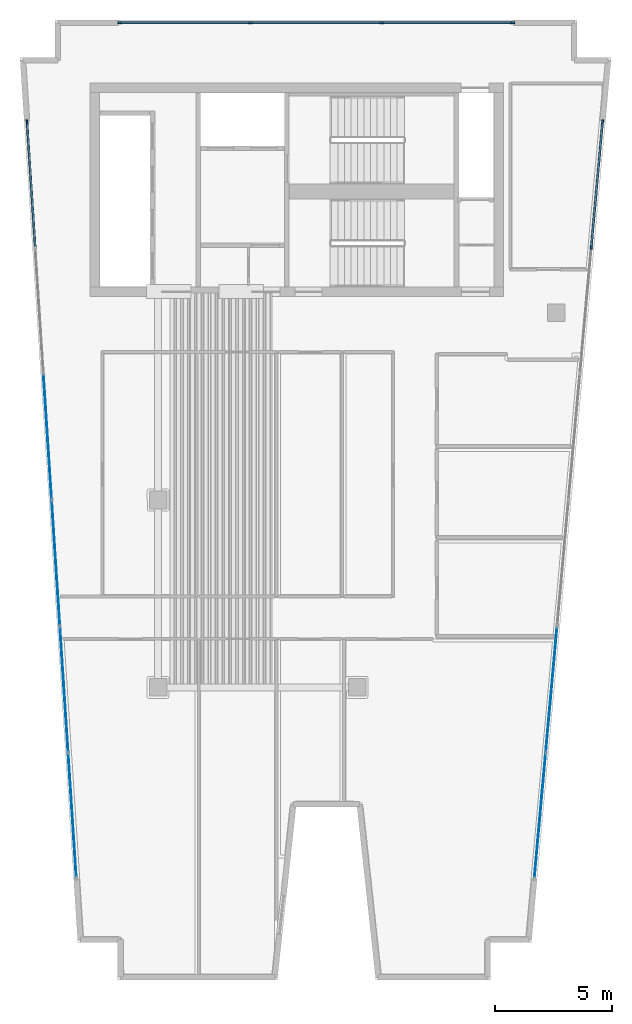
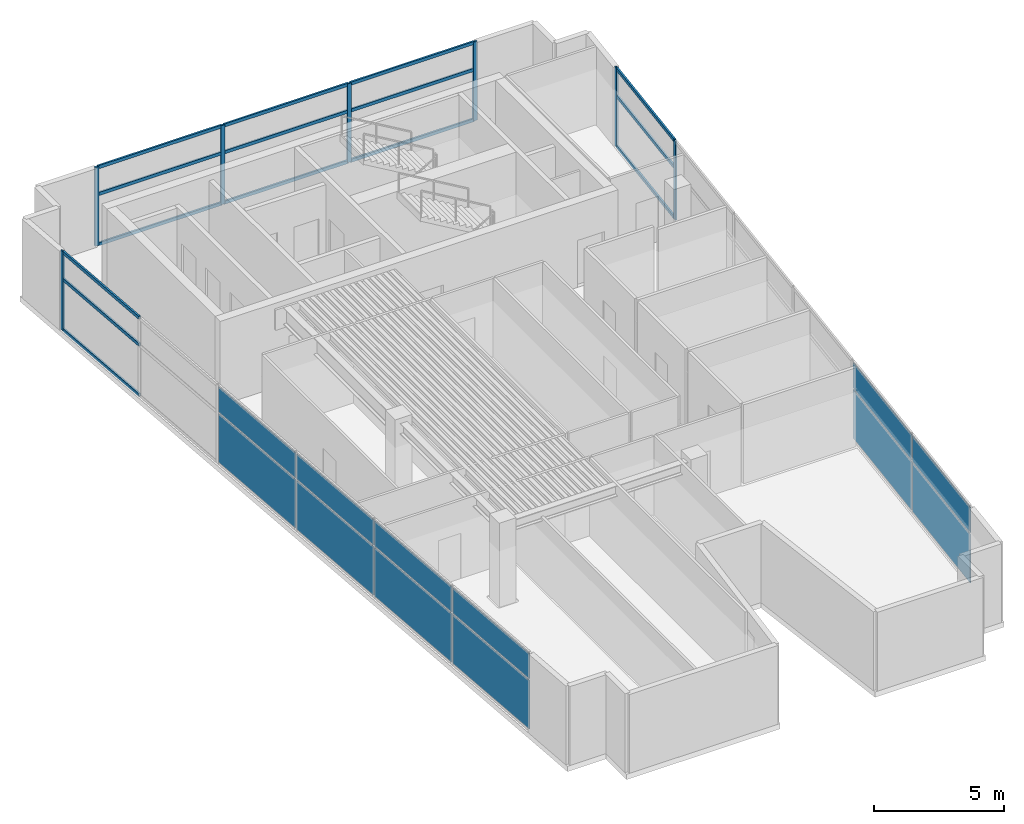
# One storey, part 2 of 7: 22 members, 12 plates, 3 elements without a shape of their own.
"""IFC4 building model written with IfcOpenShell, lengths in metres."""

from ifc_helpers import new_model, si_unit, direction, frame, origin, origin_2d, place, context, subcontext, project, spatial, rectangle, extrude, material, layer, layer_set, material_profile, profile_set, type_object, element, aggregate, save


model = new_model("IFC4")

# Units and contexts
model_context = context("Model", 3, precision=1e-05, world=origin(), true_north=direction((0.0, 1.0)))
body_context = subcontext(model_context, "Body", "Model", "MODEL_VIEW")
ifc_project = project(units=[si_unit("LENGTHUNIT", "METRE"), si_unit("AREAUNIT", "SQUARE_METRE"), si_unit("VOLUMEUNIT", "CUBIC_METRE"), si_unit("PLANEANGLEUNIT", "RADIAN"), si_unit("MASSUNIT", "GRAM", prefix="KILO")], contexts=[model_context])

# Site, building, storey
site_placement = place(None, origin())
site = spatial("IfcSite", under=ifc_project, at=site_placement, CompositionType="ELEMENT")
building_placement = place(site_placement, origin())
building = spatial("IfcBuilding", under=site, at=building_placement, Name="Caeloran Harvest Quay", CompositionType="ELEMENT")
storey_placement = place(building_placement, frame((0.0, 0.0, 304.10009765625)))
storey = spatial("IfcBuildingStorey", under=building, at=storey_placement, Name="L73", CompositionType="ELEMENT", Elevation=304.10009765625)

# Curtain wall, member
ifc_material_1 = material(Name="Aluminium 6063-T6 and Low-E Glazing", Category="aluminium")
ifc_layer_1 = layer(ifc_material_1, 0.239990234375, Name="Aluminium 6063-T6 and Low-E Glazing")
ifc_layer_set_1 = layer_set([ifc_layer_1], Name="Aluminium 6063-T6 and Low-E Glazing")
curtain_wall_type = type_object("IfcCurtainWallType", Name="CW-SYS-CW-7", PredefinedType="USERDEFINED", material=ifc_layer_set_1)
curtain_wall_1_placement = place(storey_placement, origin())
curtain_wall_1 = element("IfcCurtainWall", 1, at=curtain_wall_1_placement, inside=storey, type_object=curtain_wall_type, Name="L73 Unitised Curtain Wall CW-7 Run 3", ObjectType="CURTAIN_WALL", PredefinedType="USERDEFINED")
ifc_material_2 = material(Name="Aluminium 6063-T6", Category="aluminium")
ifc_material_profile_1 = material_profile(ifc_material_2, rectangle(XDim=0.080078125, YDim=0.179931640625, at=origin_2d()), Name="CW-MULLION-180")
ifc_profile_set_1 = profile_set([ifc_material_profile_1], Name="Aluminium 6063-T6")
member_type_1 = type_object("IfcMemberType", Name="CW-MULLION-180", PredefinedType="MULLION", material=ifc_profile_set_1)
member_1_placement = place(storey_placement, frame((2.904541015625, 39.1455078125, 0.0), z_axis=(0.0, 0.0, 1.0), x_axis=(-0.997874401106, -0.065166552901, 0.0)))
member_1 = element("IfcMember", 2, at=member_1_placement, type_object=member_type_1, Name="CW-7 mullion 7", PredefinedType="MULLION", context=body_context, shape_type="SweptSolid", body=[
    extrude(rectangle(XDim=0.080078125, YDim=0.179931640625, at=origin_2d()), origin(), (0.0, 0.0, 1.0), 3.699951171875),
])

# Curtain wall, members
curtain_wall_2_placement = place(storey_placement, origin())
curtain_wall_2 = element("IfcCurtainWall", 3, at=curtain_wall_2_placement, inside=storey, type_object=curtain_wall_type, Name="L73 Unitised Curtain Wall CW-7 Run 6", ObjectType="CURTAIN_WALL", PredefinedType="USERDEFINED")
member_2_placement = place(storey_placement, frame((6.860107421875, 43.3798828125, 0.0), z_axis=(0.0, 0.0, 1.0), x_axis=(0.0, 1.0, 0.0)))
member_2 = element("IfcMember", 4, at=member_2_placement, type_object=member_type_1, Name="CW-7 mullion 1", PredefinedType="MULLION", context=body_context, shape_type="SweptSolid", body=[
    extrude(rectangle(XDim=0.080078125, YDim=0.179931640625, at=origin_2d()), origin(), (0.0, 0.0, 1.0), 3.699951171875),
])
member_3_placement = place(storey_placement, frame((12.43994140625, 43.3798828125, 0.0), z_axis=(0.0, 0.0, 1.0), x_axis=(0.0, 1.0, 0.0)))
member_3 = element("IfcMember", 5, at=member_3_placement, type_object=member_type_1, Name="CW-7 mullion 2", PredefinedType="MULLION", context=body_context, shape_type="SweptSolid", body=[
    extrude(rectangle(XDim=0.080078125, YDim=0.179931640625, at=origin_2d()), origin(), (0.0, 0.0, 1.0), 3.699951171875),
])
member_4_placement = place(storey_placement, frame((18.06005859375, 43.3798828125, 0.0), z_axis=(0.0, 0.0, 1.0), x_axis=(0.0, 1.0, 0.0)))
member_4 = element("IfcMember", 6, at=member_4_placement, type_object=member_type_1, Name="CW-7 mullion 3", PredefinedType="MULLION", context=body_context, shape_type="SweptSolid", body=[
    extrude(rectangle(XDim=0.080078125, YDim=0.179931640625, at=origin_2d()), origin(), (0.0, 0.0, 1.0), 3.699951171875),
])
member_5_placement = place(storey_placement, frame((23.639892578125, 43.3798828125, 0.0), z_axis=(0.0, 0.0, 1.0), x_axis=(0.0, 1.0, 0.0)))
member_5 = element("IfcMember", 7, at=member_5_placement, type_object=member_type_1, Name="CW-7 mullion 4", PredefinedType="MULLION", context=body_context, shape_type="SweptSolid", body=[
    extrude(rectangle(XDim=0.080078125, YDim=0.179931640625, at=origin_2d()), origin(), (0.0, 0.0, 1.0), 3.699951171875),
])

curtain_wall_3_placement = place(storey_placement, origin())
curtain_wall_3 = element("IfcCurtainWall", 8, at=curtain_wall_3_placement, inside=storey, type_object=curtain_wall_type, Name="L73 Unitised Curtain Wall CW-7 Run 9", ObjectType="CURTAIN_WALL", PredefinedType="USERDEFINED")
member_6_placement = place(storey_placement, frame((27.4873046875, 39.150634765625, 0.0), z_axis=(0.0, 0.0, 1.0), x_axis=(0.995957918918, -0.089821065146, 0.0)))
member_6 = element("IfcMember", 9, at=member_6_placement, type_object=member_type_1, Name="CW-7 mullion 1", PredefinedType="MULLION", context=body_context, shape_type="SweptSolid", body=[
    extrude(rectangle(XDim=0.080078125, YDim=0.179931640625, at=origin_2d()), origin(), (0.0, 0.0, 1.0), 3.699951171875),
])
member_7_placement = place(storey_placement, frame((27.004150390625, 33.793701171875, 0.0), z_axis=(0.0, 0.0, 1.0), x_axis=(0.995957918918, -0.089821065146, 0.0)))
member_7 = element("IfcMember", 10, at=member_7_placement, type_object=member_type_1, Name="CW-7 mullion 2", PredefinedType="MULLION", context=body_context, shape_type="SweptSolid", body=[
    extrude(rectangle(XDim=0.080078125, YDim=0.179931640625, at=origin_2d()), origin(), (0.0, 0.0, 1.0), 3.699951171875),
])

# Member
ifc_material_profile_2 = material_profile(ifc_material_2, rectangle(XDim=0.080078125, YDim=0.14990234375, at=origin_2d()), Name="CW-TRANSOM-150")
ifc_profile_set_2 = profile_set([ifc_material_profile_2], Name="Aluminium 6063-T6")
member_type_2 = type_object("IfcMemberType", Name="CW-TRANSOM-150", PredefinedType="USERDEFINED", material=ifc_profile_set_2)
member_8_placement = place(storey_placement, frame((3.251708984375, 33.830322265625, 0.039794921875), z_axis=(-0.065161110765, 0.997874756492, 0.0), x_axis=(-0.997874756492, -0.065161110765, 0.0)))
member_8 = element("IfcMember", 11, at=member_8_placement, type_object=member_type_2, Name="CW-7 transom 6.1", ObjectType="TRANSOM", PredefinedType="USERDEFINED", context=body_context, shape_type="SweptSolid", body=[
    extrude(rectangle(XDim=0.080078125, YDim=0.14990234375, at=origin_2d()), origin(), (0.0, 0.0, 1.0), 5.28662109375),
])

member_9_placement = place(storey_placement, frame((3.251708984375, 33.830322265625, 2.39990234375), z_axis=(-0.065161110765, 0.997874756492, 0.0), x_axis=(-0.997874756492, -0.065161110765, 0.0)))
member_9 = element("IfcMember", 12, at=member_9_placement, type_object=member_type_2, Name="CW-7 transom 6.2", ObjectType="TRANSOM", PredefinedType="USERDEFINED", context=body_context, shape_type="SweptSolid", body=[
    extrude(rectangle(XDim=0.080078125, YDim=0.14990234375, at=origin_2d()), origin(), (0.0, 0.0, 1.0), 5.28662109375),
])

member_10_placement = place(storey_placement, frame((3.251708984375, 33.830322265625, 3.659912109375), z_axis=(-0.065161110765, 0.997874756492, 0.0), x_axis=(-0.997874756492, -0.065161110765, 0.0)))
member_10 = element("IfcMember", 13, at=member_10_placement, type_object=member_type_2, Name="CW-7 transom 6.3", ObjectType="TRANSOM", PredefinedType="USERDEFINED", context=body_context, shape_type="SweptSolid", body=[
    extrude(rectangle(XDim=0.080078125, YDim=0.14990234375, at=origin_2d()), origin(), (0.0, 0.0, 1.0), 5.28662109375),
])

member_11_placement = place(storey_placement, frame((6.89990234375, 43.3798828125, 0.039794921875), z_axis=(1.0, 0.0, 0.0), x_axis=(0.0, 1.0, 0.0)))
member_11 = element("IfcMember", 14, at=member_11_placement, type_object=member_type_2, Name="CW-7 transom 1.1", ObjectType="TRANSOM", PredefinedType="USERDEFINED", context=body_context, shape_type="SweptSolid", body=[
    extrude(rectangle(XDim=0.080078125, YDim=0.14990234375, at=origin_2d()), origin(), (0.0, 0.0, 1.0), 5.5),
])

member_12_placement = place(storey_placement, frame((6.89990234375, 43.3798828125, 2.39990234375), z_axis=(1.0, 0.0, 0.0), x_axis=(0.0, 1.0, 0.0)))
member_12 = element("IfcMember", 15, at=member_12_placement, type_object=member_type_2, Name="CW-7 transom 1.2", ObjectType="TRANSOM", PredefinedType="USERDEFINED", context=body_context, shape_type="SweptSolid", body=[
    extrude(rectangle(XDim=0.080078125, YDim=0.14990234375, at=origin_2d()), origin(), (0.0, 0.0, 1.0), 5.5),
])

member_13_placement = place(storey_placement, frame((6.89990234375, 43.3798828125, 3.659912109375), z_axis=(1.0, 0.0, 0.0), x_axis=(0.0, 1.0, 0.0)))
member_13 = element("IfcMember", 16, at=member_13_placement, type_object=member_type_2, Name="CW-7 transom 1.3", ObjectType="TRANSOM", PredefinedType="USERDEFINED", context=body_context, shape_type="SweptSolid", body=[
    extrude(rectangle(XDim=0.080078125, YDim=0.14990234375, at=origin_2d()), origin(), (0.0, 0.0, 1.0), 5.5),
])

member_14_placement = place(storey_placement, frame((12.47998046875, 43.3798828125, 0.039794921875), z_axis=(1.0, 0.0, 0.0), x_axis=(0.0, 1.0, 0.0)))
member_14 = element("IfcMember", 17, at=member_14_placement, type_object=member_type_2, Name="CW-7 transom 2.1", ObjectType="TRANSOM", PredefinedType="USERDEFINED", context=body_context, shape_type="SweptSolid", body=[
    extrude(rectangle(XDim=0.080078125, YDim=0.14990234375, at=origin_2d()), origin(), (0.0, 0.0, 1.0), 5.5400390625),
])

member_15_placement = place(storey_placement, frame((12.47998046875, 43.3798828125, 2.39990234375), z_axis=(1.0, 0.0, 0.0), x_axis=(0.0, 1.0, 0.0)))
member_15 = element("IfcMember", 18, at=member_15_placement, type_object=member_type_2, Name="CW-7 transom 2.2", ObjectType="TRANSOM", PredefinedType="USERDEFINED", context=body_context, shape_type="SweptSolid", body=[
    extrude(rectangle(XDim=0.080078125, YDim=0.14990234375, at=origin_2d()), origin(), (0.0, 0.0, 1.0), 5.5400390625),
])

member_16_placement = place(storey_placement, frame((12.47998046875, 43.3798828125, 3.659912109375), z_axis=(1.0, 0.0, 0.0), x_axis=(0.0, 1.0, 0.0)))
member_16 = element("IfcMember", 19, at=member_16_placement, type_object=member_type_2, Name="CW-7 transom 2.3", ObjectType="TRANSOM", PredefinedType="USERDEFINED", context=body_context, shape_type="SweptSolid", body=[
    extrude(rectangle(XDim=0.080078125, YDim=0.14990234375, at=origin_2d()), origin(), (0.0, 0.0, 1.0), 5.5400390625),
])

member_17_placement = place(storey_placement, frame((18.10009765625, 43.3798828125, 0.039794921875), z_axis=(1.0, 0.0, 0.0), x_axis=(0.0, 1.0, 0.0)))
member_17 = element("IfcMember", 20, at=member_17_placement, type_object=member_type_2, Name="CW-7 transom 3.1", ObjectType="TRANSOM", PredefinedType="USERDEFINED", context=body_context, shape_type="SweptSolid", body=[
    extrude(rectangle(XDim=0.080078125, YDim=0.14990234375, at=origin_2d()), origin(), (0.0, 0.0, 1.0), 5.5),
])

member_18_placement = place(storey_placement, frame((18.10009765625, 43.3798828125, 2.39990234375), z_axis=(1.0, 0.0, 0.0), x_axis=(0.0, 1.0, 0.0)))
member_18 = element("IfcMember", 21, at=member_18_placement, type_object=member_type_2, Name="CW-7 transom 3.2", ObjectType="TRANSOM", PredefinedType="USERDEFINED", context=body_context, shape_type="SweptSolid", body=[
    extrude(rectangle(XDim=0.080078125, YDim=0.14990234375, at=origin_2d()), origin(), (0.0, 0.0, 1.0), 5.5),
])

member_19_placement = place(storey_placement, frame((18.10009765625, 43.3798828125, 3.659912109375), z_axis=(1.0, 0.0, 0.0), x_axis=(0.0, 1.0, 0.0)))
member_19 = element("IfcMember", 22, at=member_19_placement, type_object=member_type_2, Name="CW-7 transom 3.3", ObjectType="TRANSOM", PredefinedType="USERDEFINED", context=body_context, shape_type="SweptSolid", body=[
    extrude(rectangle(XDim=0.080078125, YDim=0.14990234375, at=origin_2d()), origin(), (0.0, 0.0, 1.0), 5.5),
])

aggregate(curtain_wall_2, [member_2, member_3, member_4, member_5, member_11, member_12, member_13, member_14, member_15, member_16, member_17, member_18, member_19])

member_20_placement = place(storey_placement, frame((27.483642578125, 39.11083984375, 0.039794921875), z_axis=(-0.089800407778, -0.995959781699, 0.0), x_axis=(0.995959781699, -0.089800407778, 0.0)))
member_20 = element("IfcMember", 23, at=member_20_placement, type_object=member_type_2, Name="CW-7 transom 1.1", ObjectType="TRANSOM", PredefinedType="USERDEFINED", context=body_context, shape_type="SweptSolid", body=[
    extrude(rectangle(XDim=0.080078125, YDim=0.14990234375, at=origin_2d()), origin(), (0.0, 0.0, 1.0), 5.298828125),
])

member_21_placement = place(storey_placement, frame((27.483642578125, 39.11083984375, 2.39990234375), z_axis=(-0.089800407778, -0.995959781699, 0.0), x_axis=(0.995959781699, -0.089800407778, 0.0)))
member_21 = element("IfcMember", 24, at=member_21_placement, type_object=member_type_2, Name="CW-7 transom 1.2", ObjectType="TRANSOM", PredefinedType="USERDEFINED", context=body_context, shape_type="SweptSolid", body=[
    extrude(rectangle(XDim=0.080078125, YDim=0.14990234375, at=origin_2d()), origin(), (0.0, 0.0, 1.0), 5.298828125),
])

member_22_placement = place(storey_placement, frame((27.483642578125, 39.11083984375, 3.659912109375), z_axis=(-0.089800407778, -0.995959781699, 0.0), x_axis=(0.995959781699, -0.089800407778, 0.0)))
member_22 = element("IfcMember", 25, at=member_22_placement, type_object=member_type_2, Name="CW-7 transom 1.3", ObjectType="TRANSOM", PredefinedType="USERDEFINED", context=body_context, shape_type="SweptSolid", body=[
    extrude(rectangle(XDim=0.080078125, YDim=0.14990234375, at=origin_2d()), origin(), (0.0, 0.0, 1.0), 5.298828125),
])

# Plate
ifc_material_3 = material(Name="Low-E Double Glazed Vision Glass Unit", Category="glass")
ifc_layer_2 = layer(ifc_material_3, 0.035888671875, Name="Low-E Double Glazed Vision Glass Unit")
ifc_layer_set_2 = layer_set([ifc_layer_2], Name="Low-E Double Glazed Vision Glass Unit")
plate_type = type_object("IfcPlateType", Name="CW-VISION-PANEL", PredefinedType="CURTAIN_PANEL", material=ifc_layer_set_2)
plate_1_placement = place(storey_placement, frame((4.838623046875, 9.531982421875, 0.080078125), z_axis=(0.0, 0.0, 1.0), x_axis=(-0.065166552901, 0.997874401106, 0.0)))
plate_1 = element("IfcPlate", 26, at=plate_1_placement, type_object=plate_type, Name="CW-7 panel 1.1", PredefinedType="CURTAIN_PANEL", context=body_context, shape_type="SweptSolid", body=[
    extrude(rectangle(XDim=5.28662109375, YDim=0.035888671875, at=origin_2d()), origin(), (0.0, 0.0, 1.0), 2.280029296875),
])

plate_2_placement = place(storey_placement, frame((4.838623046875, 9.531982421875, 2.43994140625), z_axis=(0.0, 0.0, 1.0), x_axis=(-0.065166552901, 0.997874401106, 0.0)))
plate_2 = element("IfcPlate", 27, at=plate_2_placement, type_object=plate_type, Name="CW-7 panel 1.2", PredefinedType="CURTAIN_PANEL", context=body_context, shape_type="SweptSolid", body=[
    extrude(rectangle(XDim=5.28662109375, YDim=0.035888671875, at=origin_2d()), origin(), (0.0, 0.0, 1.0), 1.179931640625),
])

plate_3_placement = place(storey_placement, frame((4.487548828125, 14.9072265625, 0.080078125), z_axis=(0.0, 0.0, 1.0), x_axis=(-0.065166552901, 0.997874401106, 0.0)))
plate_3 = element("IfcPlate", 28, at=plate_3_placement, type_object=plate_type, Name="CW-7 panel 2.1", PredefinedType="CURTAIN_PANEL", context=body_context, shape_type="SweptSolid", body=[
    extrude(rectangle(XDim=5.32666015625, YDim=0.035888671875, at=origin_2d()), origin(), (0.0, 0.0, 1.0), 2.280029296875),
])

plate_4_placement = place(storey_placement, frame((4.487548828125, 14.9072265625, 2.43994140625), z_axis=(0.0, 0.0, 1.0), x_axis=(-0.065166552901, 0.997874401106, 0.0)))
plate_4 = element("IfcPlate", 29, at=plate_4_placement, type_object=plate_type, Name="CW-7 panel 2.2", PredefinedType="CURTAIN_PANEL", context=body_context, shape_type="SweptSolid", body=[
    extrude(rectangle(XDim=5.32666015625, YDim=0.035888671875, at=origin_2d()), origin(), (0.0, 0.0, 1.0), 1.179931640625),
])

plate_5_placement = place(storey_placement, frame((4.13525390625, 20.302490234375, 0.080078125), z_axis=(0.0, 0.0, 1.0), x_axis=(-0.065166552901, 0.997874401106, 0.0)))
plate_5 = element("IfcPlate", 30, at=plate_5_placement, type_object=plate_type, Name="CW-7 panel 3.1", PredefinedType="CURTAIN_PANEL", context=body_context, shape_type="SweptSolid", body=[
    extrude(rectangle(XDim=5.32666015625, YDim=0.035888671875, at=origin_2d()), origin(), (0.0, 0.0, 1.0), 2.280029296875),
])

plate_6_placement = place(storey_placement, frame((4.13525390625, 20.302490234375, 2.43994140625), z_axis=(0.0, 0.0, 1.0), x_axis=(-0.065166552901, 0.997874401106, 0.0)))
plate_6 = element("IfcPlate", 31, at=plate_6_placement, type_object=plate_type, Name="CW-7 panel 3.2", PredefinedType="CURTAIN_PANEL", context=body_context, shape_type="SweptSolid", body=[
    extrude(rectangle(XDim=5.32666015625, YDim=0.035888671875, at=origin_2d()), origin(), (0.0, 0.0, 1.0), 1.179931640625),
])

plate_7_placement = place(storey_placement, frame((3.78271484375, 25.697509765625, 0.080078125), z_axis=(0.0, 0.0, 1.0), x_axis=(-0.065166552901, 0.997874401106, 0.0)))
plate_7 = element("IfcPlate", 32, at=plate_7_placement, type_object=plate_type, Name="CW-7 panel 4.1", PredefinedType="CURTAIN_PANEL", context=body_context, shape_type="SweptSolid", body=[
    extrude(rectangle(XDim=5.32666015625, YDim=0.035888671875, at=origin_2d()), origin(), (0.0, 0.0, 1.0), 2.280029296875),
])

plate_8_placement = place(storey_placement, frame((3.78271484375, 25.697509765625, 2.43994140625), z_axis=(0.0, 0.0, 1.0), x_axis=(-0.065166552901, 0.997874401106, 0.0)))
plate_8 = element("IfcPlate", 33, at=plate_8_placement, type_object=plate_type, Name="CW-7 panel 4.2", PredefinedType="CURTAIN_PANEL", context=body_context, shape_type="SweptSolid", body=[
    extrude(rectangle(XDim=5.32666015625, YDim=0.035888671875, at=origin_2d()), origin(), (0.0, 0.0, 1.0), 1.179931640625),
])

aggregate(curtain_wall_1, [member_1, plate_1, plate_2, plate_3, plate_4, plate_5, plate_6, plate_7, plate_8, member_8, member_9, member_10])

plate_9_placement = place(storey_placement, frame((25.30078125, 14.90478515625, 0.080078125), z_axis=(0.0, 0.0, 1.0), x_axis=(-0.089821065146, -0.995957918918, 0.0)))
plate_9 = element("IfcPlate", 34, at=plate_9_placement, type_object=plate_type, Name="CW-7 panel 5.1", PredefinedType="CURTAIN_PANEL", context=body_context, shape_type="SweptSolid", body=[
    extrude(rectangle(XDim=5.338623046875, YDim=0.035888671875, at=origin_2d()), origin(), (0.0, 0.0, 1.0), 2.280029296875),
])

plate_10_placement = place(storey_placement, frame((25.30078125, 14.90478515625, 2.43994140625), z_axis=(0.0, 0.0, 1.0), x_axis=(-0.089821065146, -0.995957918918, 0.0)))
plate_10 = element("IfcPlate", 35, at=plate_10_placement, type_object=plate_type, Name="CW-7 panel 5.2", PredefinedType="CURTAIN_PANEL", context=body_context, shape_type="SweptSolid", body=[
    extrude(rectangle(XDim=5.338623046875, YDim=0.035888671875, at=origin_2d()), origin(), (0.0, 0.0, 1.0), 1.179931640625),
])

plate_11_placement = place(storey_placement, frame((24.815673828125, 9.52783203125, 0.080078125), z_axis=(0.0, 0.0, 1.0), x_axis=(-0.089821065146, -0.995957918918, 0.0)))
plate_11 = element("IfcPlate", 36, at=plate_11_placement, type_object=plate_type, Name="CW-7 panel 6.1", PredefinedType="CURTAIN_PANEL", context=body_context, shape_type="SweptSolid", body=[
    extrude(rectangle(XDim=5.298828125, YDim=0.035888671875, at=origin_2d()), origin(), (0.0, 0.0, 1.0), 2.280029296875),
])

plate_12_placement = place(storey_placement, frame((24.815673828125, 9.52783203125, 2.43994140625), z_axis=(0.0, 0.0, 1.0), x_axis=(-0.089821065146, -0.995957918918, 0.0)))
plate_12 = element("IfcPlate", 37, at=plate_12_placement, type_object=plate_type, Name="CW-7 panel 6.2", PredefinedType="CURTAIN_PANEL", context=body_context, shape_type="SweptSolid", body=[
    extrude(rectangle(XDim=5.298828125, YDim=0.035888671875, at=origin_2d()), origin(), (0.0, 0.0, 1.0), 1.179931640625),
])

aggregate(curtain_wall_3, [member_6, member_7, member_20, member_21, member_22, plate_9, plate_10, plate_11, plate_12])

save(model, "model.ifc")
